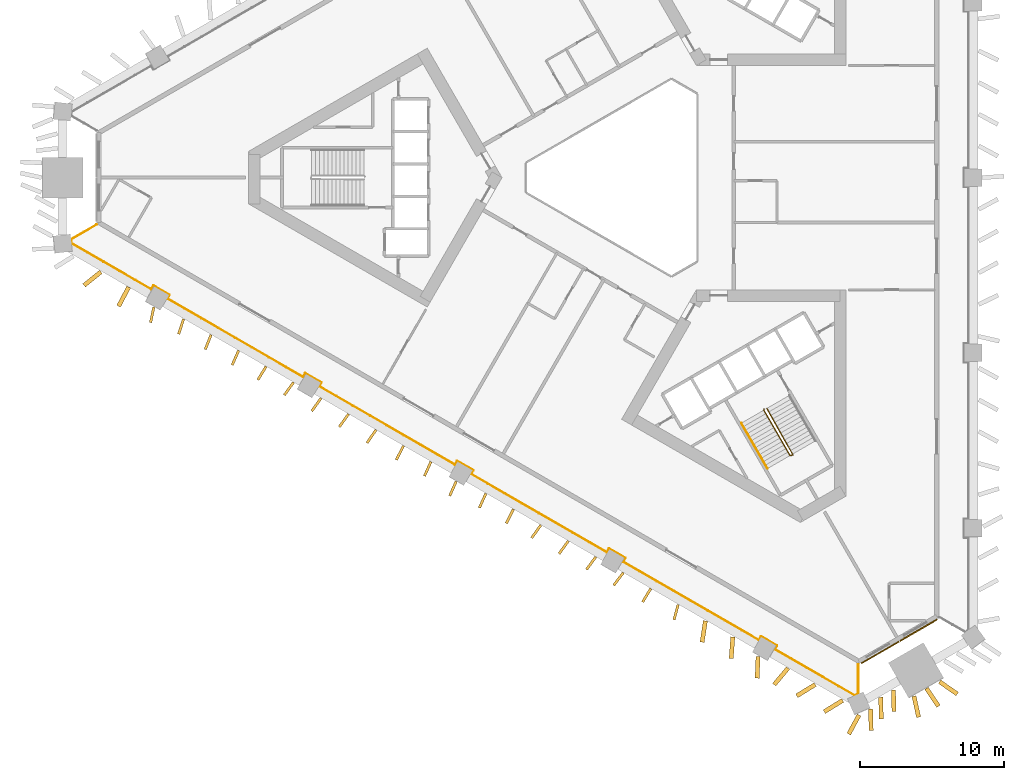
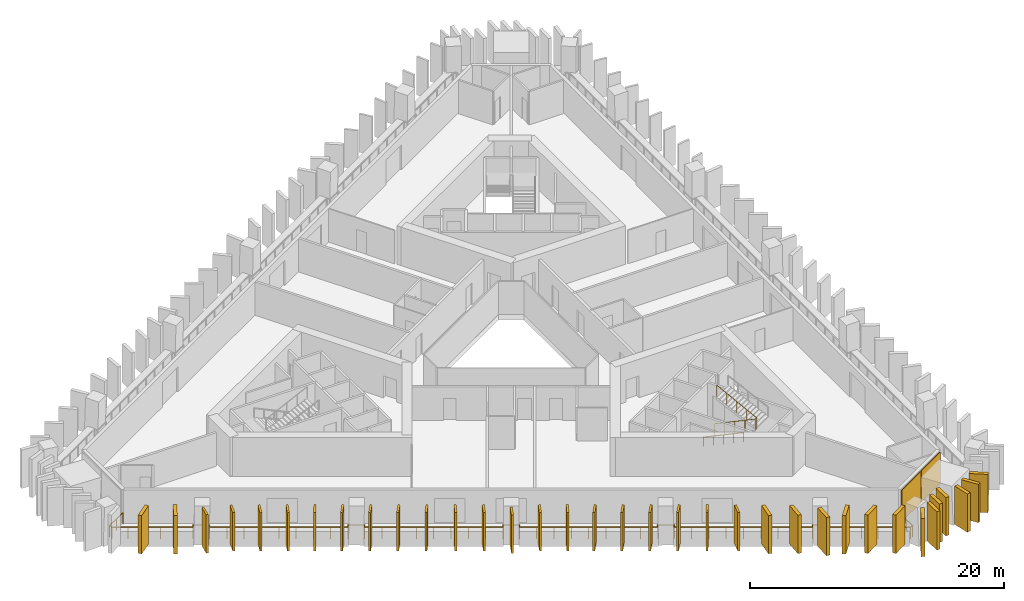
# One storey, part 7 of 10: 35 shading devices, 3 railings, 2 coverings.
"""IFC4 building model written with IfcOpenShell, lengths in metres."""

from ifc_helpers import new_model, si_unit, direction, frame, frame_2d, origin, origin_2d, place, context, subcontext, project, spatial, rectangle, circle, extrude, material, layer, layer_set, type_object, element, save


model = new_model("IFC4")

# Units and contexts
model_context = context("Model", 3, precision=1e-05, world=origin(), true_north=direction((0.0, 1.0)))
body_context = subcontext(model_context, "Body", "Model", "MODEL_VIEW")
ifc_project = project(units=[si_unit("LENGTHUNIT", "METRE"), si_unit("AREAUNIT", "SQUARE_METRE"), si_unit("VOLUMEUNIT", "CUBIC_METRE"), si_unit("PLANEANGLEUNIT", "RADIAN"), si_unit("MASSUNIT", "GRAM", prefix="KILO")], contexts=[model_context])

# Site, building, storey
site_placement = place(None, origin())
site = spatial("IfcSite", under=ifc_project, at=site_placement, CompositionType="ELEMENT")
building_placement = place(site_placement, origin())
building = spatial("IfcBuilding", under=site, at=building_placement, Name="Jabali Bay Hotel Tower and Convention Centre", CompositionType="ELEMENT")
storey_placement = place(building_placement, frame((0.0, 0.0, 44.800048828125)))
storey = spatial("IfcBuildingStorey", under=building, at=storey_placement, Name="L09", CompositionType="ELEMENT", Elevation=44.800048828125)

# Railing
ifc_material_1 = material(Name="Glass", Category="glass")
railing_type_1 = type_object("IfcRailingType", Name="Loggia glass guard 1100", PredefinedType="BALUSTRADE", material=ifc_material_1)
railing_1_placement = place(storey_placement, frame((90.748291015625, 46.19580078125, 0.0)))
element("IfcRailing", 1, at=railing_1_placement, inside=storey, type_object=railing_type_1, Name="Loggia glass guard L09", PredefinedType="BALUSTRADE", context=body_context, shape_type="SweptSolid", body=[
    extrude(circle(Radius=0.02490234375, at=origin_2d()), frame((0.0, 0.0, 1.0751953125), z_axis=(0.0, -1.0, 0.0), x_axis=(0.991444861374, 0.0, 0.13052619222)), (0.0, 0.0, 1.0), 2.055908203125),
    extrude(circle(Radius=0.02490234375, at=origin_2d()), frame((0.0, -2.055908203125, 1.0751953125), z_axis=(-0.917848253155, -0.396931460305, 0.0), x_axis=(0.393535656637, -0.909995934112, 0.13052619222)), (0.0, 0.0, 1.0), 0.273681640625),
    extrude(circle(Radius=0.02490234375, at=origin_2d()), frame((-0.251220703125, -2.16455078125, 1.0751953125), z_axis=(-0.866008087876, 0.500029990834, 0.0), x_axis=(-0.495752164945, -0.858599268633, 0.13052619222)), (0.0, 0.0, 1.0), 6.390625),
    extrude(circle(Radius=0.02490234375, at=origin_2d()), frame((-5.78564453125, 1.031005859375, 1.0751953125), z_axis=(0.499816412211, 0.866131372301, 0.0), x_axis=(-0.858721498343, 0.495540413517, 0.13052619222)), (0.0, 0.0, 1.0), 0.2998046875),
    extrude(circle(Radius=0.02490234375, at=origin_2d()), frame((-5.6357421875, 1.290771484375, 1.0751953125), z_axis=(-0.86603858612, 0.49997716683, 0.0), x_axis=(-0.495699792858, -0.85862950596, 0.13052619222)), (0.0, 0.0, 1.0), 1.2998046875),
    extrude(circle(Radius=0.02490234375, at=origin_2d()), frame((-6.761474609375, 1.940673828125, 1.0751953125), z_axis=(-0.500426713919, -0.865778900179, 0.0), x_axis=(0.858372041669, -0.49614549401, 0.13052619222)), (0.0, 0.0, 1.0), 0.300048828125),
    extrude(circle(Radius=0.02490234375, at=origin_2d()), frame((-6.91162109375, 1.680908203125, 1.0751953125), z_axis=(-0.866024190355, 0.500002101716, 0.0), x_axis=(-0.495724514422, -0.858615233353, 0.13052619222)), (0.0, 0.0, 1.0), 10.88232421875),
    extrude(circle(Radius=0.02490234375, at=origin_2d()), frame((-16.3359375, 7.1220703125, 1.0751953125), z_axis=(0.500426713919, 0.865778900179, 0.0), x_axis=(-0.858372041669, 0.49614549401, 0.13052619222)), (0.0, 0.0, 1.0), 0.300048828125),
    extrude(circle(Radius=0.02490234375, at=origin_2d()), frame((-16.185791015625, 7.3818359375, 1.0751953125), z_axis=(-0.866085525409, 0.49989585183, 0.0), x_axis=(-0.495619173519, -0.858676043677, 0.13052619222)), (0.0, 0.0, 1.0), 1.300048828125),
    extrude(circle(Radius=0.02490234375, at=origin_2d()), frame((-17.311767578125, 8.03173828125, 1.0751953125), z_axis=(-0.499816412211, -0.866131372301, 0.0), x_axis=(0.858721498343, -0.495540413517, 0.13052619222)), (0.0, 0.0, 1.0), 0.2998046875),
    extrude(circle(Radius=0.02490234375, at=origin_2d()), frame((-17.461669921875, 7.77197265625, 1.0751953125), z_axis=(-0.866024190355, 0.500002101716, 0.0), x_axis=(-0.495724514422, -0.858615233353, 0.13052619222)), (0.0, 0.0, 1.0), 10.88232421875),
    extrude(circle(Radius=0.02490234375, at=origin_2d()), frame((-26.885986328125, 13.213134765625, 1.0751953125), z_axis=(0.499816412211, 0.866131372301, 0.0), x_axis=(-0.858721498343, 0.495540413517, 0.13052619222)), (0.0, 0.0, 1.0), 0.2998046875),
    extrude(circle(Radius=0.02490234375, at=origin_2d()), frame((-26.736083984375, 13.472900390625, 1.0751953125), z_axis=(-0.86595725628, 0.500118016368, 0.0), x_axis=(-0.495839437409, -0.858548871908, 0.13052619222)), (0.0, 0.0, 1.0), 1.300048828125),
    extrude(circle(Radius=0.02490234375, at=origin_2d()), frame((-27.86181640625, 14.123046875, 1.0751953125), z_axis=(-0.499816412211, -0.866131372301, 0.0), x_axis=(0.858721498343, -0.495540413517, 0.13052619222)), (0.0, 0.0, 1.0), 0.2998046875),
    extrude(circle(Radius=0.02490234375, at=origin_2d()), frame((-28.01171875, 13.86328125, 1.0751953125), z_axis=(-0.866033904836, 0.499985275457, 0.0), x_axis=(-0.495707832114, -0.858624864726, 0.13052619222)), (0.0, 0.0, 1.0), 10.882080078125),
    extrude(circle(Radius=0.02490234375, at=origin_2d()), frame((-37.43603515625, 19.30419921875, 1.0751953125), z_axis=(0.499816412211, 0.866131372301, 0.0), x_axis=(-0.858721498343, 0.495540413517, 0.13052619222)), (0.0, 0.0, 1.0), 0.2998046875),
    extrude(circle(Radius=0.02490234375, at=origin_2d()), frame((-37.2861328125, 19.56396484375, 1.0751953125), z_axis=(-0.86595725628, 0.500118016368, 0.0), x_axis=(-0.495839437409, -0.858548871908, 0.13052619222)), (0.0, 0.0, 1.0), 1.300048828125),
    extrude(circle(Radius=0.02490234375, at=origin_2d()), frame((-38.411865234375, 20.214111328125, 1.0751953125), z_axis=(-0.500426713919, -0.865778900179, 0.0), x_axis=(0.858372041669, -0.49614549401, 0.13052619222)), (0.0, 0.0, 1.0), 0.300048828125),
    extrude(circle(Radius=0.02490234375, at=origin_2d()), frame((-38.56201171875, 19.954345703125, 1.0751953125), z_axis=(-0.866028296266, 0.499994990041, 0.0), x_axis=(-0.495717463589, -0.858619304137, 0.13052619222)), (0.0, 0.0, 1.0), 10.8818359375),
    extrude(circle(Radius=0.02490234375, at=origin_2d()), frame((-47.986083984375, 25.395263671875, 1.0751953125), z_axis=(0.499464218792, 0.866334516308, 0.0), x_axis=(-0.858922904424, 0.495191233161, 0.13052619222)), (0.0, 0.0, 1.0), 0.300048828125),
    extrude(circle(Radius=0.02490234375, at=origin_2d()), frame((-47.836181640625, 25.6552734375, 1.0751953125), z_axis=(-0.866085525409, 0.49989585183, 0.0), x_axis=(-0.495619173519, -0.858676043677, 0.13052619222)), (0.0, 0.0, 1.0), 1.300048828125),
    extrude(circle(Radius=0.02490234375, at=origin_2d()), frame((-48.962158203125, 26.30517578125, 1.0751953125), z_axis=(-0.499816412211, -0.866131372301, 0.0), x_axis=(0.858721498343, -0.495540413517, 0.13052619222)), (0.0, 0.0, 1.0), 0.2998046875),
    extrude(circle(Radius=0.02490234375, at=origin_2d()), frame((-49.112060546875, 26.04541015625, 1.0751953125), z_axis=(-0.8660341808, 0.499984797455, 0.0), x_axis=(-0.495707358202, -0.858625138328, 0.13052619222)), (0.0, 0.0, 1.0), 6.390869140625),
    extrude(circle(Radius=0.02490234375, at=origin_2d()), frame((-54.646728515625, 29.24072265625, 1.0751953125), z_axis=(-0.115132230487, 0.993350174663, 0.0), x_axis=(-0.984851926214, -0.114147258294, 0.13052619222)), (0.0, 0.0, 1.0), 0.2734375),
    extrude(circle(Radius=0.02490234375, at=origin_2d()), frame((-54.67822265625, 29.512451171875, 1.0751953125), z_axis=(0.866005633567, 0.500034241458, 0.0), x_axis=(-0.495756379204, 0.858596835321, 0.13052619222)), (0.0, 0.0, 1.0), 2.055908203125),
    extrude(circle(Radius=0.02001953125, at=origin_2d()), origin(), (0.0, 0.0, 1.0), 1.050048828125),
    extrude(circle(Radius=0.02001953125, at=origin_2d()), frame((0.0, -1.02783203125, 0.0)), (0.0, 0.0, 1.0), 1.050048828125),
    extrude(circle(Radius=0.02001953125, at=origin_2d()), frame((0.0, -2.055908203125, 0.0)), (0.0, 0.0, 1.0), 1.050048828125),
    extrude(circle(Radius=0.02001953125, at=origin_2d()), frame((-0.251220703125, -2.16455078125, 0.0)), (0.0, 0.0, 1.0), 1.050048828125),
    extrude(circle(Radius=0.02001953125, at=origin_2d()), frame((-1.358154296875, -1.525390625, 0.0)), (0.0, 0.0, 1.0), 1.050048828125),
    extrude(circle(Radius=0.02001953125, at=origin_2d()), frame((-2.465087890625, -0.88623046875, 0.0)), (0.0, 0.0, 1.0), 1.050048828125),
    extrude(circle(Radius=0.02001953125, at=origin_2d()), frame((-3.57177734375, -0.247314453125, 0.0)), (0.0, 0.0, 1.0), 1.050048828125),
    extrude(circle(Radius=0.02001953125, at=origin_2d()), frame((-4.6787109375, 0.391845703125, 0.0)), (0.0, 0.0, 1.0), 1.050048828125),
    extrude(circle(Radius=0.02001953125, at=origin_2d()), frame((-5.78564453125, 1.031005859375, 0.0)), (0.0, 0.0, 1.0), 1.050048828125),
    extrude(circle(Radius=0.02001953125, at=origin_2d()), frame((-5.6357421875, 1.290771484375, 0.0)), (0.0, 0.0, 1.0), 1.050048828125),
    extrude(circle(Radius=0.02001953125, at=origin_2d()), frame((-6.761474609375, 1.940673828125, 0.0)), (0.0, 0.0, 1.0), 1.050048828125),
    extrude(circle(Radius=0.02001953125, at=origin_2d()), frame((-6.91162109375, 1.680908203125, 0.0)), (0.0, 0.0, 1.0), 1.050048828125),
    extrude(circle(Radius=0.02001953125, at=origin_2d()), frame((-8.089599609375, 2.361083984375, 0.0)), (0.0, 0.0, 1.0), 1.050048828125),
    extrude(circle(Radius=0.02001953125, at=origin_2d()), frame((-9.267578125, 3.041259765625, 0.0)), (0.0, 0.0, 1.0), 1.050048828125),
    extrude(circle(Radius=0.02001953125, at=origin_2d()), frame((-10.44580078125, 3.721435546875, 0.0)), (0.0, 0.0, 1.0), 1.050048828125),
    extrude(circle(Radius=0.02001953125, at=origin_2d()), frame((-11.623779296875, 4.4013671875, 0.0)), (0.0, 0.0, 1.0), 1.050048828125),
    extrude(circle(Radius=0.02001953125, at=origin_2d()), frame((-12.8017578125, 5.08154296875, 0.0)), (0.0, 0.0, 1.0), 1.050048828125),
    extrude(circle(Radius=0.02001953125, at=origin_2d()), frame((-13.97998046875, 5.76171875, 0.0)), (0.0, 0.0, 1.0), 1.050048828125),
    extrude(circle(Radius=0.02001953125, at=origin_2d()), frame((-15.157958984375, 6.44189453125, 0.0)), (0.0, 0.0, 1.0), 1.050048828125),
    extrude(circle(Radius=0.02001953125, at=origin_2d()), frame((-16.3359375, 7.1220703125, 0.0)), (0.0, 0.0, 1.0), 1.050048828125),
    extrude(circle(Radius=0.02001953125, at=origin_2d()), frame((-16.185791015625, 7.3818359375, 0.0)), (0.0, 0.0, 1.0), 1.050048828125),
    extrude(circle(Radius=0.02001953125, at=origin_2d()), frame((-17.311767578125, 8.03173828125, 0.0)), (0.0, 0.0, 1.0), 1.050048828125),
    extrude(circle(Radius=0.02001953125, at=origin_2d()), frame((-17.461669921875, 7.77197265625, 0.0)), (0.0, 0.0, 1.0), 1.050048828125),
    extrude(circle(Radius=0.02001953125, at=origin_2d()), frame((-18.6396484375, 8.4521484375, 0.0)), (0.0, 0.0, 1.0), 1.050048828125),
    extrude(circle(Radius=0.02001953125, at=origin_2d()), frame((-19.81787109375, 9.13232421875, 0.0)), (0.0, 0.0, 1.0), 1.050048828125),
    extrude(circle(Radius=0.02001953125, at=origin_2d()), frame((-20.995849609375, 9.8125, 0.0)), (0.0, 0.0, 1.0), 1.050048828125),
    extrude(circle(Radius=0.02001953125, at=origin_2d()), frame((-22.173828125, 10.49267578125, 0.0)), (0.0, 0.0, 1.0), 1.050048828125),
    extrude(circle(Radius=0.02001953125, at=origin_2d()), frame((-23.351806640625, 11.172607421875, 0.0)), (0.0, 0.0, 1.0), 1.050048828125),
    extrude(circle(Radius=0.02001953125, at=origin_2d()), frame((-24.52978515625, 11.852783203125, 0.0)), (0.0, 0.0, 1.0), 1.050048828125),
    extrude(circle(Radius=0.02001953125, at=origin_2d()), frame((-25.7080078125, 12.532958984375, 0.0)), (0.0, 0.0, 1.0), 1.050048828125),
    extrude(circle(Radius=0.02001953125, at=origin_2d()), frame((-26.885986328125, 13.213134765625, 0.0)), (0.0, 0.0, 1.0), 1.050048828125),
    extrude(circle(Radius=0.02001953125, at=origin_2d()), frame((-26.736083984375, 13.472900390625, 0.0)), (0.0, 0.0, 1.0), 1.050048828125),
    extrude(circle(Radius=0.02001953125, at=origin_2d()), frame((-27.86181640625, 14.123046875, 0.0)), (0.0, 0.0, 1.0), 1.050048828125),
    extrude(circle(Radius=0.02001953125, at=origin_2d()), frame((-28.01171875, 13.86328125, 0.0)), (0.0, 0.0, 1.0), 1.050048828125),
    extrude(circle(Radius=0.02001953125, at=origin_2d()), frame((-29.189697265625, 14.54345703125, 0.0)), (0.0, 0.0, 1.0), 1.050048828125),
    extrude(circle(Radius=0.02001953125, at=origin_2d()), frame((-30.36767578125, 15.2236328125, 0.0)), (0.0, 0.0, 1.0), 1.050048828125),
    extrude(circle(Radius=0.02001953125, at=origin_2d()), frame((-31.5458984375, 15.903564453125, 0.0)), (0.0, 0.0, 1.0), 1.050048828125),
    extrude(circle(Radius=0.02001953125, at=origin_2d()), frame((-32.723876953125, 16.583740234375, 0.0)), (0.0, 0.0, 1.0), 1.050048828125),
    extrude(circle(Radius=0.02001953125, at=origin_2d()), frame((-33.90185546875, 17.263916015625, 0.0)), (0.0, 0.0, 1.0), 1.050048828125),
    extrude(circle(Radius=0.02001953125, at=origin_2d()), frame((-35.080078125, 17.94384765625, 0.0)), (0.0, 0.0, 1.0), 1.050048828125),
    extrude(circle(Radius=0.02001953125, at=origin_2d()), frame((-36.258056640625, 18.6240234375, 0.0)), (0.0, 0.0, 1.0), 1.050048828125),
    extrude(circle(Radius=0.02001953125, at=origin_2d()), frame((-37.43603515625, 19.30419921875, 0.0)), (0.0, 0.0, 1.0), 1.050048828125),
    extrude(circle(Radius=0.02001953125, at=origin_2d()), frame((-37.2861328125, 19.56396484375, 0.0)), (0.0, 0.0, 1.0), 1.050048828125),
    extrude(circle(Radius=0.02001953125, at=origin_2d()), frame((-38.411865234375, 20.214111328125, 0.0)), (0.0, 0.0, 1.0), 1.050048828125),
    extrude(circle(Radius=0.02001953125, at=origin_2d()), frame((-38.56201171875, 19.954345703125, 0.0)), (0.0, 0.0, 1.0), 1.050048828125),
    extrude(circle(Radius=0.02001953125, at=origin_2d()), frame((-39.739990234375, 20.634521484375, 0.0)), (0.0, 0.0, 1.0), 1.050048828125),
    extrude(circle(Radius=0.02001953125, at=origin_2d()), frame((-40.91796875, 21.314453125, 0.0)), (0.0, 0.0, 1.0), 1.050048828125),
    extrude(circle(Radius=0.02001953125, at=origin_2d()), frame((-42.095947265625, 21.99462890625, 0.0)), (0.0, 0.0, 1.0), 1.050048828125),
    extrude(circle(Radius=0.02001953125, at=origin_2d()), frame((-43.27392578125, 22.6748046875, 0.0)), (0.0, 0.0, 1.0), 1.050048828125),
    extrude(circle(Radius=0.02001953125, at=origin_2d()), frame((-44.4521484375, 23.35498046875, 0.0)), (0.0, 0.0, 1.0), 1.050048828125),
    extrude(circle(Radius=0.02001953125, at=origin_2d()), frame((-45.630126953125, 24.03515625, 0.0)), (0.0, 0.0, 1.0), 1.050048828125),
    extrude(circle(Radius=0.02001953125, at=origin_2d()), frame((-46.80810546875, 24.715087890625, 0.0)), (0.0, 0.0, 1.0), 1.050048828125),
    extrude(circle(Radius=0.02001953125, at=origin_2d()), frame((-47.986083984375, 25.395263671875, 0.0)), (0.0, 0.0, 1.0), 1.050048828125),
    extrude(circle(Radius=0.02001953125, at=origin_2d()), frame((-47.836181640625, 25.6552734375, 0.0)), (0.0, 0.0, 1.0), 1.050048828125),
    extrude(circle(Radius=0.02001953125, at=origin_2d()), frame((-48.962158203125, 26.30517578125, 0.0)), (0.0, 0.0, 1.0), 1.050048828125),
    extrude(circle(Radius=0.02001953125, at=origin_2d()), frame((-49.112060546875, 26.04541015625, 0.0)), (0.0, 0.0, 1.0), 1.050048828125),
    extrude(circle(Radius=0.02001953125, at=origin_2d()), frame((-50.218994140625, 26.6845703125, 0.0)), (0.0, 0.0, 1.0), 1.050048828125),
    extrude(circle(Radius=0.02001953125, at=origin_2d()), frame((-51.325927734375, 27.323486328125, 0.0)), (0.0, 0.0, 1.0), 1.050048828125),
    extrude(circle(Radius=0.02001953125, at=origin_2d()), frame((-52.432861328125, 27.962646484375, 0.0)), (0.0, 0.0, 1.0), 1.050048828125),
    extrude(circle(Radius=0.02001953125, at=origin_2d()), frame((-53.539794921875, 28.6015625, 0.0)), (0.0, 0.0, 1.0), 1.050048828125),
    extrude(circle(Radius=0.02001953125, at=origin_2d()), frame((-54.646728515625, 29.24072265625, 0.0)), (0.0, 0.0, 1.0), 1.050048828125),
    extrude(circle(Radius=0.02001953125, at=origin_2d()), frame((-54.67822265625, 29.512451171875, 0.0)), (0.0, 0.0, 1.0), 1.050048828125),
    extrude(circle(Radius=0.02001953125, at=origin_2d()), frame((-53.7880859375, 30.0263671875, 0.0)), (0.0, 0.0, 1.0), 1.050048828125),
    extrude(circle(Radius=0.02001953125, at=origin_2d()), frame((-52.897705078125, 30.54052734375, 0.0)), (0.0, 0.0, 1.0), 1.050048828125),
])

# Shading devices
ifc_material_2 = material(Name="Precast concrete C60", Category="concrete")
ifc_layer_1 = layer(ifc_material_2, 0.179931640625)
ifc_layer_set_1 = layer_set([ifc_layer_1], Name="Precast concrete C60")
shading_device_type_1 = type_object("IfcShadingDeviceType", Name="Precast fin 3680 x 1100", PredefinedType="USERDEFINED", material=ifc_layer_set_1)
shading_device_1_placement = place(storey_placement, frame((41.81640625, 71.0078125, 0.010009765625), z_axis=(0.0, 0.0, 1.0), x_axis=(-0.205115383619, -0.978737799108, 0.0)))
element("IfcShadingDevice", 2, at=shading_device_1_placement, inside=storey, type_object=shading_device_type_1, Name="Fin L09 079", ObjectType="FIN", PredefinedType="USERDEFINED", context=body_context, shape_type="SweptSolid", body=[
    extrude(rectangle(XDim=1.099853515625, YDim=0.179931640625, at=frame_2d((0.5498046875, 0.0))), origin(), (0.0, 0.0, 1.0), 3.679931640625),
])
for number, where, z_axis, x_axis, name in (
    (3, (43.883544921875, 70.180419921875, 0.010009765625), (0.0, 0.0, 1.0), (-0.31002932135, -0.950726995464, 0.0), "Fin L09 080"),
    (4, (45.794921875, 69.08349609375, 0.010009765625), (0.0, 0.0, 1.0), (-0.370433800109, -0.928858869655, 0.0), "Fin L09 081"),
):
    element("IfcShadingDevice", number, at=place(storey_placement, frame(where, z_axis=z_axis, x_axis=x_axis)), inside=storey, type_object=shading_device_type_1, Name=name, ObjectType="FIN", PredefinedType="USERDEFINED", context=body_context, shape_type="SweptSolid", body=[
        extrude(rectangle(XDim=1.10009765625, YDim=0.179931640625, at=frame_2d((0.550048828125, 0.0))), origin(), (0.0, 0.0, 1.0), 3.679931640625),
    ])
for number, where, z_axis, x_axis, name in (
    (5, (47.705078125, 67.984619140625, 0.010009765625), (0.0, 0.0, 1.0), (-0.407538464917, -0.91318804176, 0.0), "Fin L09 082"),
    (6, (49.6171875, 66.888916015625, 0.010009765625), (0.0, 0.0, 1.0), (-0.520749495406, -0.853709530832, 0.0), "Fin L09 083"),
    (7, (51.522216796875, 65.781005859375, 0.010009765625), (0.0, 0.0, 1.0), (-0.586203489394, -0.810163853194, 0.0), "Fin L09 084"),
    (8, (53.430908203125, 64.67919921875, 0.010009765625), (0.0, 0.0, 1.0), (-0.584906870827, -0.811100457686, 0.0), "Fin L09 085"),
    (9, (55.339599609375, 63.577392578125, 0.010009765625), (0.0, 0.0, 1.0), (-0.584404121175, -0.811462767571, 0.0), "Fin L09 086"),
):
    element("IfcShadingDevice", number, at=place(storey_placement, frame(where, z_axis=z_axis, x_axis=x_axis)), inside=storey, type_object=shading_device_type_1, Name=name, ObjectType="FIN", PredefinedType="USERDEFINED", context=body_context, shape_type="SweptSolid", body=[
        extrude(rectangle(XDim=1.099853515625, YDim=0.179931640625, at=frame_2d((0.5498046875, 0.0))), origin(), (0.0, 0.0, 1.0), 3.679931640625),
    ])
for number, where, z_axis, x_axis, name in (
    (10, (57.2490234375, 62.47705078125, 0.010009765625), (0.0, 0.0, 1.0), (-0.568552033904, -0.822647302764, 0.0), "Fin L09 087"),
    (11, (59.15869140625, 61.377197265625, 0.010009765625), (0.0, 0.0, 1.0), (-0.452089588203, -0.891972535585, 0.0), "Fin L09 088"),
):
    element("IfcShadingDevice", number, at=place(storey_placement, frame(where, z_axis=z_axis, x_axis=x_axis)), inside=storey, type_object=shading_device_type_1, Name=name, ObjectType="FIN", PredefinedType="USERDEFINED", context=body_context, shape_type="SweptSolid", body=[
        extrude(rectangle(XDim=1.10009765625, YDim=0.179931640625, at=frame_2d((0.550048828125, 0.0))), origin(), (0.0, 0.0, 1.0), 3.679931640625),
    ])
for number, where, z_axis, x_axis, name in (
    (12, (61.065185546875, 60.271728515625, 0.010009765625), (0.0, 0.0, 1.0), (-0.411075203021, -0.91160143564, 0.0), "Fin L09 089"),
    (13, (62.820068359375, 58.903564453125, 0.010009765625), (0.0, 0.0, 1.0), (-0.411075203021, -0.91160143564, 0.0), "Fin L09 090"),
):
    element("IfcShadingDevice", number, at=place(storey_placement, frame(where, z_axis=z_axis, x_axis=x_axis)), inside=storey, type_object=shading_device_type_1, Name=name, ObjectType="FIN", PredefinedType="USERDEFINED", context=body_context, shape_type="SweptSolid", body=[
        extrude(rectangle(XDim=1.099853515625, YDim=0.179931640625, at=frame_2d((0.5498046875, 0.0))), origin(), (0.0, 0.0, 1.0), 3.679931640625),
    ])
shading_device_2_placement = place(storey_placement, frame((64.88232421875, 58.06787109375, 0.010009765625), z_axis=(0.0, 0.0, 1.0), x_axis=(-0.41080758247, -0.911722068497, 0.0)))
element("IfcShadingDevice", 14, at=shading_device_2_placement, inside=storey, type_object=shading_device_type_1, Name="Fin L09 091", ObjectType="FIN", PredefinedType="USERDEFINED", context=body_context, shape_type="SweptSolid", body=[
    extrude(rectangle(XDim=1.10009765625, YDim=0.179931640625, at=frame_2d((0.550048828125, 0.0))), origin(), (0.0, 0.0, 1.0), 3.679931640625),
])
shading_device_3_placement = place(storey_placement, frame((66.792724609375, 56.969482421875, 0.010009765625), z_axis=(0.0, 0.0, 1.0), x_axis=(-0.451912983689, -0.892062024286, 0.0)))
element("IfcShadingDevice", 15, at=shading_device_3_placement, inside=storey, type_object=shading_device_type_1, Name="Fin L09 092", ObjectType="FIN", PredefinedType="USERDEFINED", context=body_context, shape_type="SweptSolid", body=[
    extrude(rectangle(XDim=1.099853515625, YDim=0.179931640625, at=frame_2d((0.5498046875, 0.0))), origin(), (0.0, 0.0, 1.0), 3.679931640625),
])
for number, where, z_axis, x_axis, name in (
    (16, (68.699462890625, 55.8642578125, 0.010009765625), (0.0, 0.0, 1.0), (-0.583649766244, -0.812005511288, 0.0), "Fin L09 093"),
    (17, (70.607666015625, 54.761962890625, 0.010009765625), (0.0, 0.0, 1.0), (-0.587392944656, -0.80930187728, 0.0), "Fin L09 094"),
    (18, (72.515869140625, 53.659423828125, 0.010009765625), (0.0, 0.0, 1.0), (-0.592373502207, -0.805663474339, 0.0), "Fin L09 095"),
    (19, (74.423828125, 52.556396484375, 0.010009765625), (0.0, 0.0, 1.0), (-0.605454603706, -0.795879841968, 0.0), "Fin L09 096"),
    (20, (76.3369140625, 51.462646484375, 0.010009765625), (0.0, 0.0, 1.0), (-0.5184394311, -0.855114352751, 0.0), "Fin L09 097"),
    (21, (78.235107421875, 50.3427734375, 0.010009765625), (0.0, 0.0, 1.0), (-0.26497594841, -0.964255021643, 0.0), "Fin L09 098"),
):
    element("IfcShadingDevice", number, at=place(storey_placement, frame(where, z_axis=z_axis, x_axis=x_axis)), inside=storey, type_object=shading_device_type_1, Name=name, ObjectType="FIN", PredefinedType="USERDEFINED", context=body_context, shape_type="SweptSolid", body=[
        extrude(rectangle(XDim=1.10009765625, YDim=0.179931640625, at=frame_2d((0.550048828125, 0.0))), origin(), (0.0, 0.0, 1.0), 3.679931640625),
    ])
ifc_layer_2 = layer(ifc_material_2, 0.300048828125)
ifc_layer_set_2 = layer_set([ifc_layer_2], Name="Precast concrete C60")
shading_device_type_2 = type_object("IfcShadingDeviceType", Name="Precast fin 3680 x 1500", PredefinedType="USERDEFINED", material=ifc_layer_set_2)
shading_device_4_placement = place(storey_placement, frame((38.14013671875, 73.455322265625, 0.010009765625), z_axis=(0.0, 0.0, 1.0), x_axis=(-0.779023320043, -0.626994949604, 0.0)))
element("IfcShadingDevice", 22, at=shading_device_4_placement, inside=storey, type_object=shading_device_type_2, Name="Fin L09 077", ObjectType="FIN", PredefinedType="USERDEFINED", context=body_context, shape_type="SweptSolid", body=[
    extrude(rectangle(XDim=1.5, YDim=0.300048828125, at=frame_2d((0.75, 0.0))), origin(), (0.0, 0.0, 1.0), 3.679931640625),
])
shading_device_5_placement = place(storey_placement, frame((40.072998046875, 72.395751953125, 0.010009765625), z_axis=(0.0, 0.0, 1.0), x_axis=(-0.468956858334, -0.883221073697, 0.0)))
element("IfcShadingDevice", 23, at=shading_device_5_placement, inside=storey, type_object=shading_device_type_2, Name="Fin L09 078", ObjectType="FIN", PredefinedType="USERDEFINED", context=body_context, shape_type="SweptSolid", body=[
    extrude(rectangle(XDim=1.499755859375, YDim=0.300048828125, at=frame_2d((0.75, 0.0))), origin(), (0.0, 0.0, 1.0), 3.679931640625),
])
for number, where, z_axis, x_axis, name in (
    (24, (80.1279296875, 49.213623046875, 0.010009765625), (0.0, 0.0, 1.0), (-0.153329108654, -0.988175179024, 0.0), "Fin L09 099"),
    (25, (82.031005859375, 48.102294921875, 0.010009765625), (0.0, 0.0, 1.0), (-0.074543128467, -0.997217790655, 0.0), "Fin L09 100"),
    (26, (83.78369140625, 46.730224609375, 0.010009765625), (0.0, 0.0, 1.0), (-0.041501921834, -0.999138424085, 0.0), "Fin L09 101"),
    (27, (85.86767578125, 45.93212890625, 0.010009765625), (0.0, 0.0, 1.0), (-0.643253159982, -0.765653558845, 0.0), "Fin L09 102"),
):
    element("IfcShadingDevice", number, at=place(storey_placement, frame(where, z_axis=z_axis, x_axis=x_axis)), inside=storey, type_object=shading_device_type_2, Name=name, ObjectType="FIN", PredefinedType="USERDEFINED", context=body_context, shape_type="SweptSolid", body=[
        extrude(rectangle(XDim=1.5, YDim=0.300048828125, at=frame_2d((0.75, 0.0))), origin(), (0.0, 0.0, 1.0), 3.679931640625),
    ])
shading_device_6_placement = place(storey_placement, frame((87.753662109375, 44.791259765625, 0.010009765625), z_axis=(0.0, 0.0, 1.0), x_axis=(-0.851797980197, -0.523870404711, 0.0)))
element("IfcShadingDevice", 28, at=shading_device_6_placement, inside=storey, type_object=shading_device_type_2, Name="Fin L09 103", ObjectType="FIN", PredefinedType="USERDEFINED", context=body_context, shape_type="SweptSolid", body=[
    extrude(rectangle(XDim=1.500244140625, YDim=0.300048828125, at=frame_2d((0.75, 0.0))), origin(), (0.0, 0.0, 1.0), 3.679931640625),
])
for number, where, z_axis, x_axis, name in (
    (29, (89.662109375, 43.689208984375, 0.010009765625), (0.0, 0.0, 1.0), (-0.852177591743, -0.523252665671, 0.0), "Fin L09 104"),
    (30, (91.599609375, 43.085693359375, 0.010009765625), (0.0, 0.0, 1.0), (0.026691886703, -0.99964370812, 0.0), "Fin L09 105"),
):
    element("IfcShadingDevice", number, at=place(storey_placement, frame(where, z_axis=z_axis, x_axis=x_axis)), inside=storey, type_object=shading_device_type_2, Name=name, ObjectType="FIN", PredefinedType="USERDEFINED", context=body_context, shape_type="SweptSolid", body=[
        extrude(rectangle(XDim=1.5, YDim=0.300048828125, at=frame_2d((0.75, 0.0))), origin(), (0.0, 0.0, 1.0), 3.679931640625),
    ])
shading_device_7_placement = place(storey_placement, frame((92.302978515625, 43.908203125, 0.010009765625), z_axis=(0.0, 0.0, 1.0), x_axis=(0.026533563174, -0.999647923034, 0.0)))
element("IfcShadingDevice", 31, at=shading_device_7_placement, inside=storey, type_object=shading_device_type_2, Name="Fin L09 106", ObjectType="FIN", PredefinedType="USERDEFINED", context=body_context, shape_type="SweptSolid", body=[
    extrude(rectangle(XDim=1.499755859375, YDim=0.300048828125, at=frame_2d((0.75, 0.0))), origin(), (0.0, 0.0, 1.0), 3.679931640625),
])
for number, where, z_axis, x_axis, name in (
    (32, (93.1865234375, 44.41845703125, 0.010009765625), (0.0, 0.0, 1.0), (0.026691886703, -0.99964370812, 0.0), "Fin L09 107"),
    (33, (94.61328125, 43.988037109375, 0.010009765625), (0.0, 0.0, 1.0), (0.215017034046, -0.976610298466, 0.0), "Fin L09 108"),
    (34, (95.4794921875, 44.5283203125, 0.010009765625), (0.0, 0.0, 1.0), (0.559274357199, -0.828982625499, 0.0), "Fin L09 109"),
    (35, (96.3896484375, 44.99267578125, 0.010009765625), (0.0, 0.0, 1.0), (0.819499457743, -0.573079958434, 0.0), "Fin L09 110"),
    (36, (90.79833984375, 42.671630859375, 0.010009765625), (0.0, 0.0, 1.0), (-0.476718276785, -0.879056132781, 0.0), "Fin L09 119"),
):
    element("IfcShadingDevice", number, at=place(storey_placement, frame(where, z_axis=z_axis, x_axis=x_axis)), inside=storey, type_object=shading_device_type_2, Name=name, ObjectType="FIN", PredefinedType="USERDEFINED", context=body_context, shape_type="SweptSolid", body=[
        extrude(rectangle(XDim=1.5, YDim=0.300048828125, at=frame_2d((0.75, 0.0))), origin(), (0.0, 0.0, 1.0), 3.679931640625),
    ])

# Coverings
ifc_material_3 = material(Name="Precast concrete C40/50", Category="concrete")
ifc_layer_3 = layer(ifc_material_3, 0.080078125)
ifc_layer_set_3 = layer_set([ifc_layer_3], Name="Precast concrete C40/50")
covering_type = type_object("IfcCoveringType", Name="Relief panel 3000 x 3000", PredefinedType="CLADDING", material=ifc_layer_set_3)
for number, where, z_axis, x_axis, name in (
    (37, (94.92822265625, 48.562744140625, 0.099853515625), (0.0, 0.0, 1.0), (-0.866025425453, -0.499999962469, 0.0), "Relief panel L09"),
    (38, (92.26123046875, 47.02294921875, 0.099853515625), (0.0, 0.0, 1.0), (-0.866025425453, -0.499999962469, 0.0), "Relief panel L09"),
):
    element("IfcCovering", number, at=place(storey_placement, frame(where, z_axis=z_axis, x_axis=x_axis)), inside=storey, type_object=covering_type, Name=name, PredefinedType="CLADDING", context=body_context, shape_type="SweptSolid", body=[
        extrude(rectangle(XDim=3.0, YDim=0.080078125, at=origin_2d()), origin(), (0.0, 0.0, 1.0), 3.0),
    ])

# Railings
ifc_material_4 = material(Name="Steel Q355B", Category="steel")
railing_type_2 = type_object("IfcRailingType", Name="Stair guard 1100", PredefinedType="GUARDRAIL", material=ifc_material_4)
railing_2_placement = place(storey_placement, frame((84.199951171875, 63.9150390625, 0.0)))
element("IfcRailing", 39, at=railing_2_placement, inside=storey, type_object=railing_type_2, Name="L09 ST3 stair guard 1", PredefinedType="GUARDRAIL", context=body_context, shape_type="SweptSolid", body=[
    extrude(circle(Radius=0.02392578125, at=origin_2d()), frame((0.0, 0.0, 1.076171875), z_axis=(-0.122196845461, -0.456201556387, 0.881446578591), x_axis=(0.965948051503, -0.258736085224, 0.0)), (0.0, 0.0, 1.0), 0.14990234375),
    extrude(circle(Radius=0.02392578125, at=origin_2d()), frame((-0.018310546875, -0.068359375, 1.2080078125), z_axis=(0.452190331055, -0.783190014029, 0.426775475427), x_axis=(0.866018046521, 0.500012742938, 0.0)), (0.0, 0.0, 1.0), 4.02490234375),
    extrude(circle(Radius=0.02392578125, at=origin_2d()), frame((1.8017578125, -3.220703125, 2.92578125), z_axis=(0.96121063429, 0.275815366736, 0.0), x_axis=(-0.275815366736, 0.96121063429, 0.0)), (0.0, 0.0, 1.0), 0.206298828125),
    extrude(circle(Radius=0.02392578125, at=origin_2d()), frame((2.0, -3.163818359375, 2.92578125), z_axis=(-0.436470229993, 0.780146179382, 0.448180406895), x_axis=(-0.872702246529, -0.488252792008, 0.0)), (0.0, 0.0, 1.0), 4.1279296875),
    extrude(circle(Radius=0.02099609375, at=origin_2d()), origin(), (0.0, 0.0, 1.0), 1.052001953125),
    extrude(circle(Radius=0.02099609375, at=origin_2d()), frame((-0.018310546875, -0.068359375, 0.132080078125)), (0.0, 0.0, 1.0), 1.052001953125),
    extrude(circle(Radius=0.02099609375, at=origin_2d()), frame((0.436767578125, -0.8564453125, 0.5615234375)), (0.0, 0.0, 1.0), 1.052001953125),
    extrude(circle(Radius=0.02099609375, at=origin_2d()), frame((0.8916015625, -1.64453125, 0.990966796875)), (0.0, 0.0, 1.0), 1.052001953125),
    extrude(circle(Radius=0.02099609375, at=origin_2d()), frame((1.3466796875, -2.4326171875, 1.42041015625)), (0.0, 0.0, 1.0), 1.052001953125),
    extrude(circle(Radius=0.02099609375, at=origin_2d()), frame((1.8017578125, -3.220703125, 1.849853515625)), (0.0, 0.0, 1.0), 1.052001953125),
    extrude(circle(Radius=0.02099609375, at=origin_2d()), frame((2.0, -3.163818359375, 1.849853515625)), (0.0, 0.0, 1.0), 1.052001953125),
    extrude(circle(Radius=0.02099609375, at=origin_2d()), frame((1.549560546875, -2.358642578125, 2.3125)), (0.0, 0.0, 1.0), 1.052001953125),
    extrude(circle(Radius=0.02099609375, at=origin_2d()), frame((1.09912109375, -1.5537109375, 2.77490234375)), (0.0, 0.0, 1.0), 1.052001953125),
    extrude(circle(Radius=0.02099609375, at=origin_2d()), frame((0.648681640625, -0.74853515625, 3.2373046875)), (0.0, 0.0, 1.0), 1.052001953125),
    extrude(circle(Radius=0.02099609375, at=origin_2d()), frame((0.1982421875, 0.056640625, 3.699951171875)), (0.0, 0.0, 1.0), 1.052001953125),
])
railing_type_3 = type_object("IfcRailingType", Name="Stair handrail 900", PredefinedType="HANDRAIL", material=ifc_material_4)
railing_3_placement = place(storey_placement, frame((82.622802734375, 62.94677734375, 0.132080078125)))
element("IfcRailing", 40, at=railing_3_placement, inside=storey, type_object=railing_type_3, Name="L09 ST3 stair handrail 1", PredefinedType="HANDRAIL", context=body_context, shape_type="SweptSolid", body=[
    extrude(circle(Radius=0.02392578125, at=origin_2d()), frame((0.0, 0.0, 0.8759765625), z_axis=(0.452190331055, -0.783190014029, 0.426775475427), x_axis=(0.866018046521, 0.500012742938, 0.0)), (0.0, 0.0, 1.0), 4.02490234375),
    extrude(circle(Radius=0.02099609375, at=origin_2d()), origin(), (0.0, 0.0, 1.0), 0.851806640625),
    extrude(circle(Radius=0.02099609375, at=origin_2d()), frame((0.455078125, -0.7880859375, 0.429443359375)), (0.0, 0.0, 1.0), 0.851806640625),
    extrude(circle(Radius=0.02099609375, at=origin_2d()), frame((0.91015625, -1.576171875, 0.85888671875)), (0.0, 0.0, 1.0), 0.851806640625),
    extrude(circle(Radius=0.02099609375, at=origin_2d()), frame((1.364990234375, -2.3642578125, 1.288330078125)), (0.0, 0.0, 1.0), 0.851806640625),
    extrude(circle(Radius=0.02099609375, at=origin_2d()), frame((1.820068359375, -3.15234375, 1.7177734375)), (0.0, 0.0, 1.0), 0.851806640625),
])

save(model, "model.ifc")
